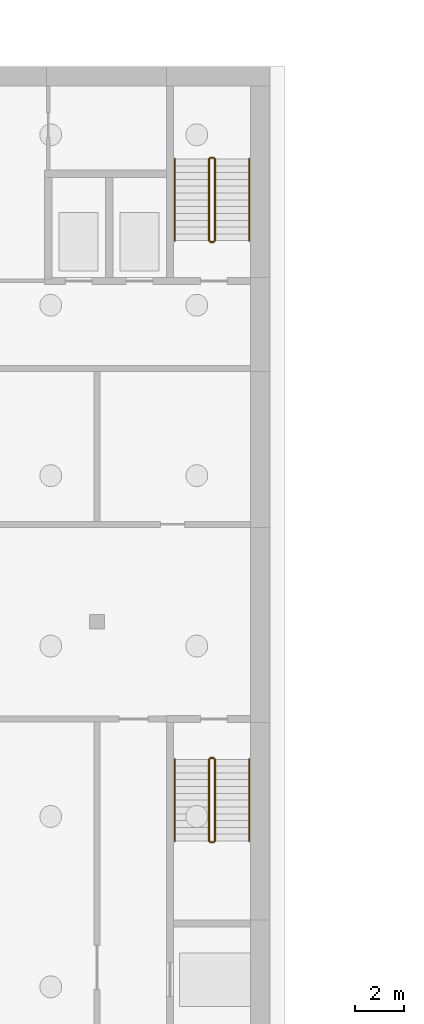
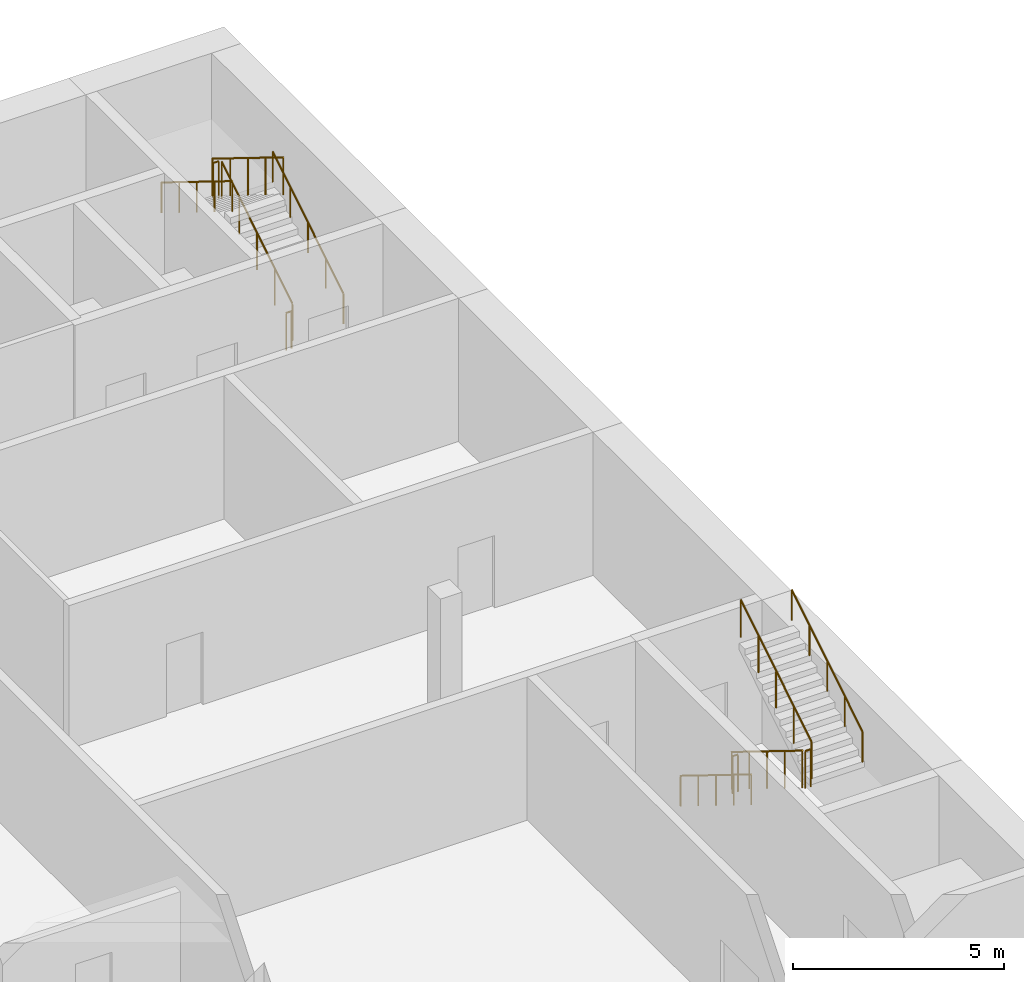
# One storey, part 17 of 23: 12 railings.
"""IFC4 building model written with IfcOpenShell, lengths in metres."""

import ifcopenshell
import ifcopenshell.guid

model = None  # the IFC model being written
_history = None  # IfcOwnerHistory: only IFC2X3 demands one
_inside = {}  # id of a spatial element -> (the spatial element, [elements in it])
_under = {}  # id of a project, library or spatial element -> (it, [spatial elements below it])
_declared = {}  # id of a project -> (the project, [libraries it declares])
_typed = {}  # id of a type object -> (the type object, [elements of that type])
_made_of = {}  # id of a material, layer set ... -> (it, [elements and type objects made of it])


def new_model(schema):
    """Start an empty IFC model of exactly this schema.

    Asked for "IFC4X3", IfcOpenShell would pick the latest addendum, in which some entities
    have other attributes; the version numbers below select the first issue.
    IFC2X3 requires an IfcOwnerHistory on every rooted entity: one is made here for all.
    """
    global model, _history
    if schema == "IFC4X3":
        model = ifcopenshell.file(schema_version=(4, 3, 0, 0))
    else:
        model = ifcopenshell.file(schema=schema)
    _inside.clear()
    _under.clear()
    _declared.clear()
    _typed.clear()
    _made_of.clear()
    _history = None
    if model.schema == "IFC2X3":
        org = make("IfcOrganization", Name="unknown")
        user = make(
            "IfcPersonAndOrganization",
            ThePerson=make("IfcPerson", FamilyName="unknown"),
            TheOrganization=org,
        )
        app = make(
            "IfcApplication",
            ApplicationDeveloper=org,
            Version="unknown",
            ApplicationFullName="unknown",
            ApplicationIdentifier="unknown",
        )
        _history = make(
            "IfcOwnerHistory",
            OwningUser=user,
            OwningApplication=app,
            ChangeAction="ADDED",
            CreationDate=0,
        )
    return model


def make(cls, **values):
    """One entity of the class cls with the attributes given. An attribute that is None is left unset."""
    return model.create_entity(
        cls, **{name: value for name, value in values.items() if value is not None}
    )


def rooted(cls, **values):
    """An entity with a GlobalId (a new one), such as an element, a storey or a relation."""
    return make(cls, GlobalId=ifcopenshell.guid.new(), OwnerHistory=_history, **values)


def si_unit(unit_type, name, prefix=None):
    """IfcSIUnit, for example si_unit("LENGTHUNIT", "METRE", prefix="MILLI")."""
    return make("IfcSIUnit", UnitType=unit_type, Prefix=prefix, Name=name)


def assignment(units):
    """IfcUnitAssignment: the units of a project."""
    return None if units is None else make("IfcUnitAssignment", Units=units)


def point(xyz):
    """IfcCartesianPoint."""
    return None if xyz is None else make("IfcCartesianPoint", Coordinates=xyz)


def direction(xyz):
    """IfcDirection."""
    return None if xyz is None else make("IfcDirection", DirectionRatios=xyz)


def frame(location, z_axis=None, x_axis=None):
    """IfcAxis2Placement3D, a coordinate frame: its origin and axes. An axis left out is left unset."""
    return make(
        "IfcAxis2Placement3D",
        Location=point(location),
        Axis=direction(z_axis),
        RefDirection=direction(x_axis),
    )


def frame_2d(location, x_axis=None):
    """IfcAxis2Placement2D, a coordinate frame in the plane: its origin and x axis."""
    return make(
        "IfcAxis2Placement2D", Location=point(location), RefDirection=direction(x_axis)
    )


def origin():
    """The frame at (0, 0, 0) with its axes left unset."""
    return frame((0.0, 0.0, 0.0))


def origin_2d():
    """The frame at (0, 0) in the plane with its x axis left unset."""
    return frame_2d((0.0, 0.0))


def place(relative_to, where):
    """IfcLocalPlacement: puts the frame where relative to a parent placement (None: the world)."""
    return make(
        "IfcLocalPlacement", PlacementRelTo=relative_to, RelativePlacement=where
    )


def context(
    kind, dimensions, precision=None, world=None, true_north=None, identifier=None
):
    """IfcGeometricRepresentationContext, for example the 3D "Model" context."""
    return make(
        "IfcGeometricRepresentationContext",
        ContextIdentifier=identifier,
        ContextType=kind,
        CoordinateSpaceDimension=dimensions,
        Precision=precision,
        WorldCoordinateSystem=world,
        TrueNorth=true_north,
    )


def subcontext(parent, identifier, kind, view, scale=None):
    """IfcGeometricRepresentationSubContext, for example "Body" below "Model"."""
    return make(
        "IfcGeometricRepresentationSubContext",
        ContextIdentifier=identifier,
        ContextType=kind,
        ParentContext=parent,
        TargetScale=scale,
        TargetView=view,
    )


def project(units=None, contexts=None):
    """IfcProject with its units and contexts."""
    return rooted(
        "IfcProject",
        Name="project",
        RepresentationContexts=contexts,
        UnitsInContext=assignment(units),
    )


def spatial(cls, under=None, at=None, **own):
    """A site, building, storey or space (cls), placed at a placement, below another one or the project."""
    s = rooted(cls, ObjectPlacement=at, **own)
    if under is not None:
        _under.setdefault(under.id(), (under, []))[1].append(s)
    return s


def profile(cls, at=None, kind="AREA", **sizes):
    """A parametric profile (cls). Its sizes go by their IFC names, for example OverallWidth=200.0."""
    return make(cls, ProfileType=kind, Position=at, **sizes)


def circle(**sizes):
    """IfcCircleProfileDef."""
    return profile("IfcCircleProfileDef", **sizes)


def extrude(swept, where, along, depth):
    """IfcExtrudedAreaSolid: the profile swept, set in the frame where, extruded along a direction by depth."""
    return make(
        "IfcExtrudedAreaSolid",
        SweptArea=swept,
        Position=where,
        ExtrudedDirection=direction(along),
        Depth=depth,
    )


def shape(context_of_items, identifier, shape_type, items):
    """IfcShapeRepresentation: the items that make up one representation, for example the "Body"."""
    return make(
        "IfcShapeRepresentation",
        ContextOfItems=context_of_items,
        RepresentationIdentifier=identifier,
        RepresentationType=shape_type,
        Items=items,
    )


def material(Name=None, Category=None):
    """IfcMaterial."""
    return make("IfcMaterial", Name=Name, Category=Category)


def made_of(thing, what):
    """Note that an element or type object is made of a material, layer set ...; save() writes the relation."""
    if what is not None:
        _made_of.setdefault(what.id(), (what, []))[1].append(thing)
    return thing


def type_object(cls, material=None, **own):
    """A type object (cls), such as IfcWallType, which elements share."""
    return made_of(rooted(cls, **own), material)


def element(
    cls,
    number,
    at=None,
    inside=None,
    cuts=None,
    type_object=None,
    material=None,
    context=None,
    identifier="Body",
    shape_type=None,
    held_by="IfcProductDefinitionShape",
    body=None,
    shapes=None,
    **own,
):
    """One element of the class cls, such as IfcWall. Its Tag is "e" and its number.

    at: its placement. inside: the storey or other place that contains it. cuts: it is an
    opening in that element (IfcRelVoidsElement). A single representation is given by context,
    identifier, shape_type and body (its items); several are given by shapes. held_by: the class
    of the entity that holds the representations. save() writes the other relations.
    """
    e = rooted(cls, Tag="e%d" % number, ObjectPlacement=at, **own)
    if body is not None:
        shapes = [shape(context, identifier, shape_type, body)]
    if shapes is not None:
        e.Representation = make(held_by, Representations=shapes)
    if inside is not None:
        _inside.setdefault(inside.id(), (inside, []))[1].append(e)
    if cuts is not None:
        rooted(
            "IfcRelVoidsElement", RelatingBuildingElement=cuts, RelatedOpeningElement=e
        )
    if type_object is not None:
        _typed.setdefault(type_object.id(), (type_object, []))[1].append(e)
    return made_of(e, material)


def aggregate(whole, parts):
    """IfcRelAggregates: a whole, such as a stair, and the parts it consists of."""
    return rooted("IfcRelAggregates", RelatingObject=whole, RelatedObjects=parts)


def save(model, path):
    """Write the relations noted so far, then the file.

    IfcRelAggregates (storeys below a building ...), IfcRelContainedInSpatialStructure (elements
    in a storey), IfcRelDefinesByType, IfcRelAssociatesMaterial and IfcRelDeclares: one each for
    every whole, place, type object, material and project.
    """
    for whole, parts in _under.values():
        aggregate(whole, parts)
    for where, things in _inside.values():
        rooted(
            "IfcRelContainedInSpatialStructure",
            RelatedElements=things,
            RelatingStructure=where,
        )
    for kind, things in _typed.values():
        rooted("IfcRelDefinesByType", RelatedObjects=things, RelatingType=kind)
    for what, things in _made_of.values():
        rooted("IfcRelAssociatesMaterial", RelatedObjects=things, RelatingMaterial=what)
    for by, libraries in _declared.values():
        rooted("IfcRelDeclares", RelatingContext=by, RelatedDefinitions=libraries)
    model.write(path)


model = new_model("IFC4")

# Units and contexts
model_context = context("Model", 3, precision=1e-05, world=origin(), true_north=direction((0.0, 1.0)))
body_context = subcontext(model_context, "Body", "Model", "MODEL_VIEW")
ifc_project = project(units=[si_unit("LENGTHUNIT", "METRE"), si_unit("AREAUNIT", "SQUARE_METRE"), si_unit("VOLUMEUNIT", "CUBIC_METRE"), si_unit("PLANEANGLEUNIT", "RADIAN"), si_unit("MASSUNIT", "GRAM", prefix="KILO")], contexts=[model_context])

# Site, building, storey
site_placement = place(None, origin())
site = spatial("IfcSite", under=ifc_project, at=site_placement, CompositionType="ELEMENT")
building_placement = place(site_placement, origin())
building = spatial("IfcBuilding", under=site, at=building_placement, Name="Kiln Ring Residences", CompositionType="ELEMENT")
storey_placement = place(building_placement, frame((0.0, 0.0, -4.5)))
storey = spatial("IfcBuildingStorey", under=building, at=storey_placement, Name="B1", CompositionType="ELEMENT", Elevation=-4.5)

# Railings
ifc_material_1 = material(Name="Stainless steel", Category="steel")
railing_type_1 = type_object("IfcRailingType", Name="Hall stair guard 1100", PredefinedType="GUARDRAIL", material=ifc_material_1)
railing_1_placement = place(storey_placement, frame((27.75, -119.550048828125, 0.173095703125)))
element("IfcRailing", 1, at=railing_1_placement, inside=storey, type_object=railing_type_1, Name="B1 HALL.ST2 stair guard 1", PredefinedType="GUARDRAIL", context=body_context, shape_type="SweptSolid", body=[
    extrude(circle(Radius=0.02392578125, at=origin_2d()), frame((0.0, 0.0, 1.076171875), z_axis=(0.0, 0.850623216509, 0.525775754039), x_axis=(-1.0, 0.0, 0.0)), (0.0, 0.0, 1.0), 3.9501953125),
    extrude(circle(Radius=0.02099609375, at=origin_2d()), origin(), (0.0, 0.0, 1.0), 1.052001953125),
    extrude(circle(Radius=0.02099609375, at=origin_2d()), frame((0.0, 0.840087890625, 0.519287109375)), (0.0, 0.0, 1.0), 1.052001953125),
    extrude(circle(Radius=0.02099609375, at=origin_2d()), frame((0.0, 1.68017578125, 1.03857421875)), (0.0, 0.0, 1.0), 1.052001953125),
    extrude(circle(Radius=0.02099609375, at=origin_2d()), frame((0.0, 2.52001953125, 1.5576171875)), (0.0, 0.0, 1.0), 1.052001953125),
    extrude(circle(Radius=0.02099609375, at=origin_2d()), frame((0.0, 3.360107421875, 2.076904296875)), (0.0, 0.0, 1.0), 1.052001953125),
])
railing_2_placement = place(storey_placement, frame((27.699951171875, -116.139892578125, 2.25)))
element("IfcRailing", 2, at=railing_2_placement, inside=storey, type_object=railing_type_1, Name="B1 HALL.ST2 stair guard 2", PredefinedType="GUARDRAIL", context=body_context, shape_type="SweptSolid", body=[
    extrude(circle(Radius=0.02392578125, at=origin_2d()), frame((0.0, 0.0, 1.076171875), z_axis=(-1.0, 0.0, 0.0), x_axis=(0.0, -1.0, 0.0)), (0.0, 0.0, 1.0), 0.14990234375),
    extrude(circle(Radius=0.02099609375, at=origin_2d()), origin(), (0.0, 0.0, 1.0), 1.052001953125),
    extrude(circle(Radius=0.02099609375, at=origin_2d()), frame((-0.14990234375, 0.0, 0.0)), (0.0, 0.0, 1.0), 1.052001953125),
])
railing_3_placement = place(storey_placement, frame((27.5, -116.18994140625, 2.423095703125)))
element("IfcRailing", 3, at=railing_3_placement, inside=storey, type_object=railing_type_1, Name="B1 HALL.ST2 stair guard 3", PredefinedType="GUARDRAIL", context=body_context, shape_type="SweptSolid", body=[
    extrude(circle(Radius=0.02392578125, at=origin_2d()), frame((0.0, 0.0, 1.076171875), z_axis=(0.0, -0.850623216509, 0.525775754039), x_axis=(1.0, 0.0, 0.0)), (0.0, 0.0, 1.0), 3.9501953125),
    extrude(circle(Radius=0.02099609375, at=origin_2d()), origin(), (0.0, 0.0, 1.0), 1.052001953125),
    extrude(circle(Radius=0.02099609375, at=origin_2d()), frame((0.0, -0.840087890625, 0.519287109375)), (0.0, 0.0, 1.0), 1.052001953125),
    extrude(circle(Radius=0.02099609375, at=origin_2d()), frame((0.0, -1.68017578125, 1.03857421875)), (0.0, 0.0, 1.0), 1.052001953125),
    extrude(circle(Radius=0.02099609375, at=origin_2d()), frame((0.0, -2.52001953125, 1.5576171875)), (0.0, 0.0, 1.0), 1.052001953125),
    extrude(circle(Radius=0.02099609375, at=origin_2d()), frame((0.0, -3.360107421875, 2.076904296875)), (0.0, 0.0, 1.0), 1.052001953125),
])
railing_4_placement = place(storey_placement, frame((27.699951171875, -119.60009765625, 0.0)))
element("IfcRailing", 4, at=railing_4_placement, inside=storey, type_object=railing_type_1, Name="B1 HALL.ST2 stair guard 4", PredefinedType="GUARDRAIL", context=body_context, shape_type="SweptSolid", body=[
    extrude(circle(Radius=0.02392578125, at=origin_2d()), frame((0.0, 0.0, 1.076171875), z_axis=(-1.0, 0.0, 0.0), x_axis=(0.0, -1.0, 0.0)), (0.0, 0.0, 1.0), 0.14990234375),
    extrude(circle(Radius=0.02099609375, at=origin_2d()), origin(), (0.0, 0.0, 1.0), 1.052001953125),
    extrude(circle(Radius=0.02099609375, at=origin_2d()), frame((-0.14990234375, 0.0, 0.0)), (0.0, 0.0, 1.0), 1.052001953125),
])
railing_5_placement = place(storey_placement, frame((27.5, -140.85009765625, 0.173095703125)))
element("IfcRailing", 5, at=railing_5_placement, inside=storey, type_object=railing_type_1, Name="B1 HALL.ST4 stair guard 1", PredefinedType="GUARDRAIL", context=body_context, shape_type="SweptSolid", body=[
    extrude(circle(Radius=0.02392578125, at=origin_2d()), frame((0.0, 0.0, 1.076171875), z_axis=(0.0, -0.850606129759, 0.525803396734), x_axis=(1.0, 0.0, 0.0)), (0.0, 0.0, 1.0), 3.949951171875),
    extrude(circle(Radius=0.02099609375, at=origin_2d()), origin(), (0.0, 0.0, 1.0), 1.052001953125),
    extrude(circle(Radius=0.02099609375, at=origin_2d()), frame((0.0, -0.83984375, 0.519287109375)), (0.0, 0.0, 1.0), 1.052001953125),
    extrude(circle(Radius=0.02099609375, at=origin_2d()), frame((0.0, -1.679931640625, 1.03857421875)), (0.0, 0.0, 1.0), 1.052001953125),
    extrude(circle(Radius=0.02099609375, at=origin_2d()), frame((0.0, -2.52001953125, 1.5576171875)), (0.0, 0.0, 1.0), 1.052001953125),
    extrude(circle(Radius=0.02099609375, at=origin_2d()), frame((0.0, -3.35986328125, 2.076904296875)), (0.0, 0.0, 1.0), 1.052001953125),
])
railing_6_placement = place(storey_placement, frame((27.550048828125, -144.260009765625, 2.25)))
element("IfcRailing", 6, at=railing_6_placement, inside=storey, type_object=railing_type_1, Name="B1 HALL.ST4 stair guard 2", PredefinedType="GUARDRAIL", context=body_context, shape_type="SweptSolid", body=[
    extrude(circle(Radius=0.02392578125, at=origin_2d()), frame((0.0, 0.0, 1.076171875), z_axis=(1.0, 0.0, 0.0), x_axis=(0.0, 1.0, 0.0)), (0.0, 0.0, 1.0), 0.14990234375),
    extrude(circle(Radius=0.02099609375, at=origin_2d()), origin(), (0.0, 0.0, 1.0), 1.052001953125),
    extrude(circle(Radius=0.02099609375, at=origin_2d()), frame((0.14990234375, 0.0, 0.0)), (0.0, 0.0, 1.0), 1.052001953125),
])
railing_7_placement = place(storey_placement, frame((27.75, -144.2099609375, 2.423095703125)))
element("IfcRailing", 7, at=railing_7_placement, inside=storey, type_object=railing_type_1, Name="B1 HALL.ST4 stair guard 3", PredefinedType="GUARDRAIL", context=body_context, shape_type="SweptSolid", body=[
    extrude(circle(Radius=0.02392578125, at=origin_2d()), frame((0.0, 0.0, 1.076171875), z_axis=(0.0, 0.850606129759, 0.525803396734), x_axis=(-1.0, 0.0, 0.0)), (0.0, 0.0, 1.0), 3.949951171875),
    extrude(circle(Radius=0.02099609375, at=origin_2d()), origin(), (0.0, 0.0, 1.0), 1.052001953125),
    extrude(circle(Radius=0.02099609375, at=origin_2d()), frame((0.0, 0.83984375, 0.519287109375)), (0.0, 0.0, 1.0), 1.052001953125),
    extrude(circle(Radius=0.02099609375, at=origin_2d()), frame((0.0, 1.679931640625, 1.03857421875)), (0.0, 0.0, 1.0), 1.052001953125),
    extrude(circle(Radius=0.02099609375, at=origin_2d()), frame((0.0, 2.52001953125, 1.5576171875)), (0.0, 0.0, 1.0), 1.052001953125),
    extrude(circle(Radius=0.02099609375, at=origin_2d()), frame((0.0, 3.35986328125, 2.076904296875)), (0.0, 0.0, 1.0), 1.052001953125),
])
railing_8_placement = place(storey_placement, frame((27.550048828125, -140.800048828125, 0.0)))
element("IfcRailing", 8, at=railing_8_placement, inside=storey, type_object=railing_type_1, Name="B1 HALL.ST4 stair guard 4", PredefinedType="GUARDRAIL", context=body_context, shape_type="SweptSolid", body=[
    extrude(circle(Radius=0.02392578125, at=origin_2d()), frame((0.0, 0.0, 1.076171875), z_axis=(1.0, 0.0, 0.0), x_axis=(0.0, 1.0, 0.0)), (0.0, 0.0, 1.0), 0.14990234375),
    extrude(circle(Radius=0.02099609375, at=origin_2d()), origin(), (0.0, 0.0, 1.0), 1.052001953125),
    extrude(circle(Radius=0.02099609375, at=origin_2d()), frame((0.14990234375, 0.0, 0.0)), (0.0, 0.0, 1.0), 1.052001953125),
])
ifc_material_2 = material(Name="Stainless steel", Category="steel")
railing_type_2 = type_object("IfcRailingType", Name="Hall stair handrail 900", PredefinedType="HANDRAIL", material=ifc_material_2)
railing_9_placement = place(storey_placement, frame((29.14990234375, -119.550048828125, 0.173095703125)))
element("IfcRailing", 9, at=railing_9_placement, inside=storey, type_object=railing_type_2, Name="B1 HALL.ST2 stair handrail 1", PredefinedType="HANDRAIL", context=body_context, shape_type="SweptSolid", body=[
    extrude(circle(Radius=0.02392578125, at=origin_2d()), frame((0.0, 0.0, 0.8759765625), z_axis=(0.0, 0.850623216509, 0.525775754039), x_axis=(-1.0, 0.0, 0.0)), (0.0, 0.0, 1.0), 3.9501953125),
    extrude(circle(Radius=0.02099609375, at=origin_2d()), origin(), (0.0, 0.0, 1.0), 0.851806640625),
    extrude(circle(Radius=0.02099609375, at=origin_2d()), frame((0.0, 0.840087890625, 0.519287109375)), (0.0, 0.0, 1.0), 0.851806640625),
    extrude(circle(Radius=0.02099609375, at=origin_2d()), frame((0.0, 1.68017578125, 1.03857421875)), (0.0, 0.0, 1.0), 0.851806640625),
    extrude(circle(Radius=0.02099609375, at=origin_2d()), frame((0.0, 2.52001953125, 1.5576171875)), (0.0, 0.0, 1.0), 0.851806640625),
    extrude(circle(Radius=0.02099609375, at=origin_2d()), frame((0.0, 3.360107421875, 2.076904296875)), (0.0, 0.0, 1.0), 0.851806640625),
])
railing_10_placement = place(storey_placement, frame((26.10009765625, -116.18994140625, 2.423095703125)))
element("IfcRailing", 10, at=railing_10_placement, inside=storey, type_object=railing_type_2, Name="B1 HALL.ST2 stair handrail 2", PredefinedType="HANDRAIL", context=body_context, shape_type="SweptSolid", body=[
    extrude(circle(Radius=0.02392578125, at=origin_2d()), frame((0.0, 0.0, 0.8759765625), z_axis=(0.0, -0.850623216509, 0.525775754039), x_axis=(1.0, 0.0, 0.0)), (0.0, 0.0, 1.0), 3.9501953125),
    extrude(circle(Radius=0.02099609375, at=origin_2d()), origin(), (0.0, 0.0, 1.0), 0.851806640625),
    extrude(circle(Radius=0.02099609375, at=origin_2d()), frame((0.0, -0.840087890625, 0.519287109375)), (0.0, 0.0, 1.0), 0.851806640625),
    extrude(circle(Radius=0.02099609375, at=origin_2d()), frame((0.0, -1.68017578125, 1.03857421875)), (0.0, 0.0, 1.0), 0.851806640625),
    extrude(circle(Radius=0.02099609375, at=origin_2d()), frame((0.0, -2.52001953125, 1.5576171875)), (0.0, 0.0, 1.0), 0.851806640625),
    extrude(circle(Radius=0.02099609375, at=origin_2d()), frame((0.0, -3.360107421875, 2.076904296875)), (0.0, 0.0, 1.0), 0.851806640625),
])
railing_11_placement = place(storey_placement, frame((26.10009765625, -140.85009765625, 0.173095703125)))
element("IfcRailing", 11, at=railing_11_placement, inside=storey, type_object=railing_type_2, Name="B1 HALL.ST4 stair handrail 1", PredefinedType="HANDRAIL", context=body_context, shape_type="SweptSolid", body=[
    extrude(circle(Radius=0.02392578125, at=origin_2d()), frame((0.0, 0.0, 0.8759765625), z_axis=(0.0, -0.850606129759, 0.525803396734), x_axis=(1.0, 0.0, 0.0)), (0.0, 0.0, 1.0), 3.949951171875),
    extrude(circle(Radius=0.02099609375, at=origin_2d()), origin(), (0.0, 0.0, 1.0), 0.851806640625),
    extrude(circle(Radius=0.02099609375, at=origin_2d()), frame((0.0, -0.83984375, 0.519287109375)), (0.0, 0.0, 1.0), 0.851806640625),
    extrude(circle(Radius=0.02099609375, at=origin_2d()), frame((0.0, -1.679931640625, 1.03857421875)), (0.0, 0.0, 1.0), 0.851806640625),
    extrude(circle(Radius=0.02099609375, at=origin_2d()), frame((0.0, -2.52001953125, 1.5576171875)), (0.0, 0.0, 1.0), 0.851806640625),
    extrude(circle(Radius=0.02099609375, at=origin_2d()), frame((0.0, -3.35986328125, 2.076904296875)), (0.0, 0.0, 1.0), 0.851806640625),
])
railing_12_placement = place(storey_placement, frame((29.14990234375, -144.2099609375, 2.423095703125)))
element("IfcRailing", 12, at=railing_12_placement, inside=storey, type_object=railing_type_2, Name="B1 HALL.ST4 stair handrail 2", PredefinedType="HANDRAIL", context=body_context, shape_type="SweptSolid", body=[
    extrude(circle(Radius=0.02392578125, at=origin_2d()), frame((0.0, 0.0, 0.8759765625), z_axis=(0.0, 0.850606129759, 0.525803396734), x_axis=(-1.0, 0.0, 0.0)), (0.0, 0.0, 1.0), 3.949951171875),
    extrude(circle(Radius=0.02099609375, at=origin_2d()), origin(), (0.0, 0.0, 1.0), 0.851806640625),
    extrude(circle(Radius=0.02099609375, at=origin_2d()), frame((0.0, 0.83984375, 0.519287109375)), (0.0, 0.0, 1.0), 0.851806640625),
    extrude(circle(Radius=0.02099609375, at=origin_2d()), frame((0.0, 1.679931640625, 1.03857421875)), (0.0, 0.0, 1.0), 0.851806640625),
    extrude(circle(Radius=0.02099609375, at=origin_2d()), frame((0.0, 2.52001953125, 1.5576171875)), (0.0, 0.0, 1.0), 0.851806640625),
    extrude(circle(Radius=0.02099609375, at=origin_2d()), frame((0.0, 3.35986328125, 2.076904296875)), (0.0, 0.0, 1.0), 0.851806640625),
])

save(model, "model.ifc")
